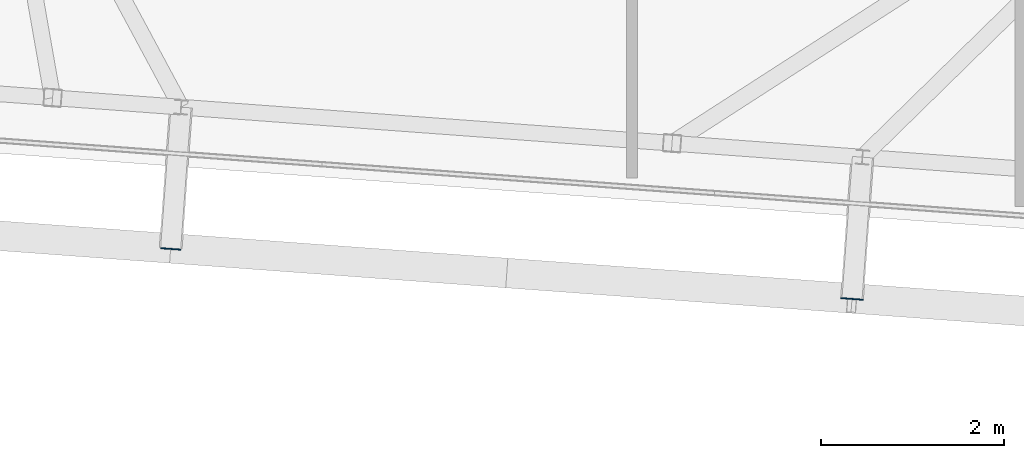
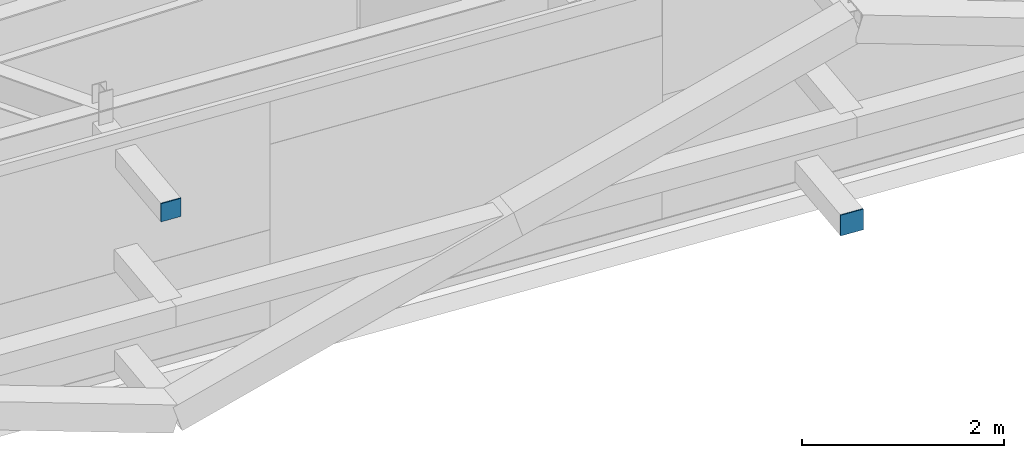
# One storey, part 25 of 34: 2 plates.
"""IFC4 building model written with IfcOpenShell, lengths in metres."""

from ifc_helpers import new_model, si_unit, direction, frame, origin, origin_2d, place, context, subcontext, project, spatial, rectangle, extrude, source, transform, mapped, material, layer, layer_set, type_object, element, save


model = new_model("IFC4")

# Units and contexts
model_context = context("Model", 3, precision=1e-05, world=origin(), true_north=direction((0.0, 1.0)))
body_context = subcontext(model_context, "Body", "Model", "MODEL_VIEW")
ifc_project = project(units=[si_unit("LENGTHUNIT", "METRE"), si_unit("AREAUNIT", "SQUARE_METRE"), si_unit("VOLUMEUNIT", "CUBIC_METRE"), si_unit("PLANEANGLEUNIT", "RADIAN"), si_unit("MASSUNIT", "GRAM", prefix="KILO")], contexts=[model_context])

# Site, building, storey
site_placement = place(None, origin())
site = spatial("IfcSite", under=ifc_project, at=site_placement, CompositionType="ELEMENT")
building_placement = place(site_placement, origin())
building = spatial("IfcBuilding", under=site, at=building_placement, Name="Taldren Reach Tower", CompositionType="ELEMENT")
storey_placement = place(building_placement, frame((0.0, 0.0, 242.89990234375)))
storey = spatial("IfcBuildingStorey", under=building, at=storey_placement, Name="L74", CompositionType="ELEMENT", Elevation=242.89990234375)

# Plates
ifc_material_1 = material(Name="Steel Gr 350 (C350L0)", Category="steel")
ifc_layer_1 = layer(ifc_material_1, 0.011962890625)
ifc_layer_set_1 = layer_set([ifc_layer_1], Name="Steel Gr 350 (C350L0)")
plate_type_1 = type_object("IfcPlateType", Name="PL-CAP-250", PredefinedType="SHEET", material=ifc_layer_set_1)
shared_shape_1 = source(origin(), body_context, "Body", "SweptSolid", [
    extrude(rectangle(XDim=0.25, YDim=0.011962890625, at=origin_2d()), origin(), (0.0, 0.0, 1.0), 0.25),
])
plate_1_placement = place(storey_placement, frame((37.406494140625, 3.264892578125, 0.09521484375), z_axis=(0.0, 0.0, 1.0), x_axis=(0.997314477224, -0.073238197128, 0.0)))
element("IfcPlate", 1, at=plate_1_placement, inside=storey, type_object=plate_type_1, Name="Tie strut end cap plate B5-S4 L74", PredefinedType="SHEET", context=body_context, shape_type="MappedRepresentation", body=[
    mapped(shared_shape_1, transform((0.0, 0.0, 0.0), scale=1.0)),
])
ifc_material_2 = material(Name="Steel Gr 450 (C450L0)", Category="steel")
ifc_layer_2 = layer(ifc_material_2, 0.011962890625)
ifc_layer_set_2 = layer_set([ifc_layer_2], Name="Steel Gr 450 (C450L0)")
plate_type_2 = type_object("IfcPlateType", Name="PL-CAP-220", PredefinedType="SHEET", material=ifc_layer_set_2)
shared_shape_2 = source(origin(), body_context, "Body", "SweptSolid", [
    extrude(rectangle(XDim=0.219970703125, YDim=0.011962890625, at=origin_2d()), origin(), (0.0, 0.0, 1.0), 0.219970703125),
])
plate_2_placement = place(storey_placement, frame((29.946533203125, 3.812744140625, 2.5400390625), z_axis=(0.0, 0.0, 1.0), x_axis=(0.997314477224, -0.073238197128, 0.0)))
element("IfcPlate", 2, at=plate_2_placement, inside=storey, type_object=plate_type_2, Name="Tie strut end cap plate B5-S3 L74", PredefinedType="SHEET", context=body_context, shape_type="MappedRepresentation", body=[
    mapped(shared_shape_2, transform((0.0, 0.0, 0.0), scale=1.0)),
])

save(model, "model.ifc")
